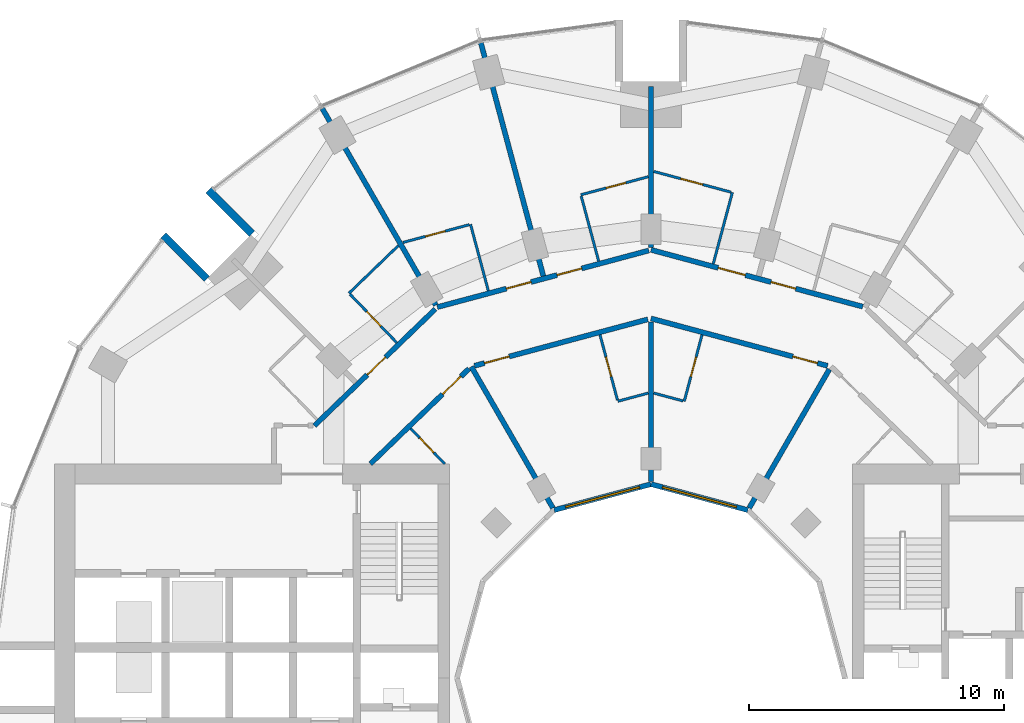
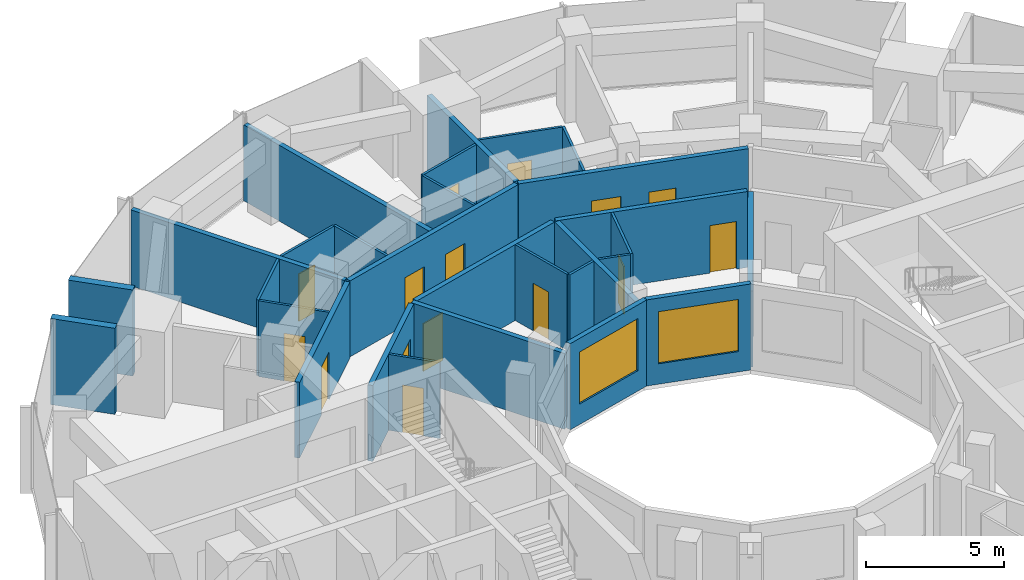
# One storey, part 12 of 15: 29 walls, 15 doors, 2 windows, 17 openings.
"""IFC4 building model written with IfcOpenShell, lengths in metres."""

from ifc_helpers import new_model, si_unit, direction, frame, frame_2d, origin, place, context, subcontext, project, spatial, rectangle, extrude, material, layer, layer_set, type_object, element, fill, save


model = new_model("IFC4")

# Units and contexts
model_context = context("Model", 3, precision=1e-05, world=origin(), true_north=direction((0.0, 1.0)))
body_context = subcontext(model_context, "Body", "Model", "MODEL_VIEW")
ifc_project = project(units=[si_unit("LENGTHUNIT", "METRE"), si_unit("AREAUNIT", "SQUARE_METRE"), si_unit("VOLUMEUNIT", "CUBIC_METRE"), si_unit("PLANEANGLEUNIT", "RADIAN"), si_unit("MASSUNIT", "GRAM", prefix="KILO")], contexts=[model_context])

# Site, building, storey
site_placement = place(None, origin())
site = spatial("IfcSite", under=ifc_project, at=site_placement, CompositionType="ELEMENT")
building_placement = place(site_placement, origin())
building = spatial("IfcBuilding", under=site, at=building_placement, Name="Torre Brocal", CompositionType="ELEMENT")
storey_placement = place(building_placement, frame((0.0, 0.0, 36.39990234375)))
storey = spatial("IfcBuildingStorey", under=building, at=storey_placement, Name="L07", CompositionType="ELEMENT", Elevation=36.39990234375)

# Walls
ifc_material_1 = material(Name="Concrete C80", Category="concrete")
ifc_layer_1 = layer(ifc_material_1, 0.300048828125)
ifc_layer_set_1 = layer_set([ifc_layer_1], Name="Concrete C80")
wall_type_1 = type_object("IfcWallType", Name="NOTCH RETURN WALL 300 C80", PredefinedType="NOTDEFINED", material=ifc_layer_set_1)
for number, where, z_axis, x_axis, name in (
    (1, (64.337646484375, 92.43017578125, 0.0), (0.0, 0.0, 1.0), (-0.707106781187, 0.707106781187, 0.0), "NOTCH RETURN WALL"),
    (2, (62.56982421875, 90.662353515625, 0.0), (0.0, 0.0, 1.0), (-0.707106781187, 0.707106781187, 0.0), "NOTCH RETURN WALL"),
):
    element("IfcWall", number, at=place(storey_placement, frame(where, z_axis=z_axis, x_axis=x_axis)), inside=storey, type_object=wall_type_1, Name=name, PredefinedType="NOTDEFINED", context=body_context, shape_type="SweptSolid", body=[
        extrude(rectangle(XDim=2.415771484375, YDim=0.300048828125, at=frame_2d((1.2080078125, 0.0))), origin(), (0.0, 0.0, 1.0), 3.800048828125),
    ])

# Wall, opening, door
ifc_material_2 = material(Name="Gypsum board", Category="Gypsum")
ifc_layer_2 = layer(ifc_material_2, 0.10009765625)
ifc_layer_set_2 = layer_set([ifc_layer_2], Name="Gypsum board")
wall_type_2 = type_object("IfcWallType", Name="PARTITION 100", PredefinedType="PARTITIONING", material=ifc_layer_set_2)
wall_1_placement = place(storey_placement, frame((68.184814453125, 90.06005859375, 0.0), z_axis=(0.0, 0.0, 1.0), x_axis=(0.69446127412, -0.719530081892, 0.0)))
wall_1 = element("IfcWall", 3, at=wall_1_placement, inside=storey, type_object=wall_type_2, Name="BATHROOM WALL", PredefinedType="PARTITIONING", context=body_context, shape_type="SweptSolid", body=[
    extrude(rectangle(XDim=2.64892578125, YDim=0.10009765625, at=frame_2d((1.324462890625, 0.0))), origin(), (0.0, 0.0, 1.0), 3.35009765625),
])
opening_1_placement = place(wall_1_placement, frame((0.94970703125, 0.0, 0.0)))
opening_1 = element("IfcOpeningElement", 4, at=opening_1_placement, cuts=wall_1, Name="Opening H01-D15", PredefinedType="OPENING", context=body_context, shape_type="SweptSolid", body=[
    extrude(rectangle(XDim=0.800048828125, YDim=2.10009765625, at=frame_2d((0.39990234375, 1.050048828125))), frame((0.0, 0.06005859375, 0.0), z_axis=(0.0, -1.0, 0.0), x_axis=(1.0, 0.0, 0.0)), (0.0, 0.0, 1.0), 0.1201171875),
])
ifc_material_3 = material(Name="Timber", Category="wood")
door_type_1 = type_object("IfcDoorType", Name="BATHROOM DOOR 800X2100", OperationType="SINGLE_SWING_LEFT", PredefinedType="DOOR", material=ifc_material_3)
door_1_placement = place(opening_1_placement, origin())
door_1 = element("IfcDoor", 5, at=door_1_placement, inside=storey, type_object=door_type_1, Name="H01-D15", OperationType="SINGLE_SWING_RIGHT", OverallHeight=2.10009765625, OverallWidth=0.800048828125, PredefinedType="DOOR", context=body_context, shape_type="SweptSolid", body=[
    extrude(rectangle(XDim=0.800048828125, YDim=2.10009765625, at=frame_2d((0.39990234375, 1.050048828125))), frame((0.0, 0.02490234375, 0.0), z_axis=(0.0, -1.0, 0.0), x_axis=(1.0, 0.0, 0.0)), (0.0, 0.0, 1.0), 0.050048828125),
])
fill(opening_1, door_1)

# Wall
wall_2_placement = place(storey_placement, frame((68.14990234375, 90.09619140625, 0.0), z_axis=(0.0, 0.0, 1.0), x_axis=(0.719669144226, 0.694317163009, 0.0)))
element("IfcWall", 6, at=wall_2_placement, inside=storey, type_object=wall_type_2, Name="BATHROOM WALL", PredefinedType="PARTITIONING", context=body_context, shape_type="SweptSolid", body=[
    extrude(rectangle(XDim=2.686767578125, YDim=0.10009765625, at=frame_2d((1.34326171875, 0.0))), origin(), (0.0, 0.0, 1.0), 3.35009765625),
])

# Wall, opening, door
wall_3_placement = place(storey_placement, frame((70.26806640625, 92.087158203125, 0.0), z_axis=(0.0, 0.0, 1.0), x_axis=(0.965931867509, 0.258796497911, 0.0)))
wall_3 = element("IfcWall", 7, at=wall_3_placement, inside=storey, type_object=wall_type_2, Name="BATHROOM WALL", PredefinedType="PARTITIONING", context=body_context, shape_type="SweptSolid", body=[
    extrude(rectangle(XDim=2.693359375, YDim=0.10009765625, at=frame_2d((1.3466796875, 0.0))), origin(), (0.0, 0.0, 1.0), 3.35009765625),
])
opening_2_placement = place(wall_3_placement, frame((0.91162109375, 0.0, 0.0)))
opening_2 = element("IfcOpeningElement", 8, at=opening_2_placement, cuts=wall_3, Name="Opening H01-D13", PredefinedType="OPENING", context=body_context, shape_type="SweptSolid", body=[
    extrude(rectangle(XDim=0.800048828125, YDim=2.10009765625, at=frame_2d((0.39990234375, 1.050048828125))), frame((0.0, 0.06005859375, 0.0), z_axis=(0.0, -1.0, 0.0), x_axis=(1.0, 0.0, 0.0)), (0.0, 0.0, 1.0), 0.1201171875),
])
door_2_placement = place(opening_2_placement, frame((0.800048828125, 0.0, 0.0), z_axis=(0.0, 0.0, 1.0), x_axis=(-1.0, 0.0, 0.0)))
door_2 = element("IfcDoor", 9, at=door_2_placement, inside=storey, type_object=door_type_1, Name="H01-D13", OperationType="SINGLE_SWING_RIGHT", OverallHeight=2.10009765625, OverallWidth=0.800048828125, PredefinedType="DOOR", context=body_context, shape_type="SweptSolid", body=[
    extrude(rectangle(XDim=0.800048828125, YDim=2.10009765625, at=frame_2d((0.39990234375, 1.050048828125))), frame((0.0, 0.02490234375, 0.0), z_axis=(0.0, -1.0, 0.0), x_axis=(1.0, 0.0, 0.0)), (0.0, 0.0, 1.0), 0.050048828125),
])
fill(opening_2, door_2)

wall_4_placement = place(storey_placement, frame((70.5673828125, 84.785888671875, 0.0), z_axis=(0.0, 0.0, 1.0), x_axis=(0.694447472534, -0.719543402368, 0.0)))
wall_4 = element("IfcWall", 10, at=wall_4_placement, inside=storey, type_object=wall_type_2, Name="BATHROOM WALL", PredefinedType="PARTITIONING", context=body_context, shape_type="SweptSolid", body=[
    extrude(rectangle(XDim=1.92626953125, YDim=0.10009765625, at=frame_2d((0.963134765625, 0.0))), origin(), (0.0, 0.0, 1.0), 3.35009765625),
])
opening_3_placement = place(wall_4_placement, frame((0.51318359375, 0.0, 0.0)))
opening_3 = element("IfcOpeningElement", 11, at=opening_3_placement, cuts=wall_4, Name="Opening H01-D25", PredefinedType="OPENING", context=body_context, shape_type="SweptSolid", body=[
    extrude(rectangle(XDim=0.800048828125, YDim=2.10009765625, at=frame_2d((0.39990234375, 1.050048828125))), frame((0.0, 0.06005859375, 0.0), z_axis=(0.0, -1.0, 0.0), x_axis=(1.0, 0.0, 0.0)), (0.0, 0.0, 1.0), 0.1201171875),
])
door_3_placement = place(opening_3_placement, frame((0.800048828125, 0.0, 0.0), z_axis=(0.0, 0.0, 1.0), x_axis=(-1.0, 0.0, 0.0)))
door_3 = element("IfcDoor", 12, at=door_3_placement, inside=storey, type_object=door_type_1, Name="H01-D25", OperationType="SINGLE_SWING_RIGHT", OverallHeight=2.10009765625, OverallWidth=0.800048828125, PredefinedType="DOOR", context=body_context, shape_type="SweptSolid", body=[
    extrude(rectangle(XDim=0.800048828125, YDim=2.10009765625, at=frame_2d((0.39990234375, 1.050048828125))), frame((0.0, 0.02490234375, 0.0), z_axis=(0.0, -1.0, 0.0), x_axis=(1.0, 0.0, 0.0)), (0.0, 0.0, 1.0), 0.050048828125),
])
fill(opening_3, door_3)

# Walls
wall_5_placement = place(storey_placement, frame((72.91796875, 92.797119140625, 0.0), z_axis=(0.0, 0.0, 1.0), x_axis=(0.25867580527, -0.965964195904, 0.0)))
element("IfcWall", 13, at=wall_5_placement, inside=storey, type_object=wall_type_2, Name="BATHROOM WALL", PredefinedType="PARTITIONING", context=body_context, shape_type="SweptSolid", body=[
    extrude(rectangle(XDim=2.69921875, YDim=0.10009765625, at=frame_2d((1.349609375, 0.0))), origin(), (0.0, 0.0, 1.0), 3.35009765625),
])
wall_6_placement = place(storey_placement, frame((77.260009765625, 93.90869140625, 0.0), z_axis=(0.0, 0.0, 1.0), x_axis=(0.258935674139, -0.965894568086, 0.0)))
element("IfcWall", 14, at=wall_6_placement, inside=storey, type_object=wall_type_2, Name="BATHROOM WALL", PredefinedType="PARTITIONING", context=body_context, shape_type="SweptSolid", body=[
    extrude(rectangle(XDim=2.6494140625, YDim=0.10009765625, at=frame_2d((1.32470703125, 0.0))), origin(), (0.0, 0.0, 1.0), 3.35009765625),
])

# Wall, opening, door
wall_7_placement = place(storey_placement, frame((77.2470703125, 93.956787109375, 0.0), z_axis=(0.0, 0.0, 1.0), x_axis=(0.965922199757, 0.258832579125, 0.0)))
wall_7 = element("IfcWall", 15, at=wall_7_placement, inside=storey, type_object=wall_type_2, Name="BATHROOM WALL", PredefinedType="PARTITIONING", context=body_context, shape_type="SweptSolid", body=[
    extrude(rectangle(XDim=2.739990234375, YDim=0.10009765625, at=frame_2d((1.3701171875, 0.0))), origin(), (0.0, 0.0, 1.0), 3.35009765625),
])
opening_4_placement = place(wall_7_placement, frame((1.025146484375, 0.0, 0.0)))
opening_4 = element("IfcOpeningElement", 16, at=opening_4_placement, cuts=wall_7, Name="Opening H01-D11", PredefinedType="OPENING", context=body_context, shape_type="SweptSolid", body=[
    extrude(rectangle(XDim=0.800048828125, YDim=2.10009765625, at=frame_2d((0.39990234375, 1.050048828125))), frame((0.0, 0.06005859375, 0.0), z_axis=(0.0, -1.0, 0.0), x_axis=(1.0, 0.0, 0.0)), (0.0, 0.0, 1.0), 0.1201171875),
])
door_4_placement = place(opening_4_placement, frame((0.800048828125, 0.0, 0.0), z_axis=(0.0, 0.0, 1.0), x_axis=(-1.0, 0.0, 0.0)))
door_4 = element("IfcDoor", 17, at=door_4_placement, inside=storey, type_object=door_type_1, Name="H01-D11", OperationType="SINGLE_SWING_LEFT", OverallHeight=2.10009765625, OverallWidth=0.800048828125, PredefinedType="DOOR", context=body_context, shape_type="SweptSolid", body=[
    extrude(rectangle(XDim=0.800048828125, YDim=2.10009765625, at=frame_2d((0.39990234375, 1.050048828125))), frame((0.0, 0.02490234375, 0.0), z_axis=(0.0, -1.0, 0.0), x_axis=(1.0, 0.0, 0.0)), (0.0, 0.0, 1.0), 0.050048828125),
])
fill(opening_4, door_4)

wall_8_placement = place(storey_placement, frame((77.997802734375, 88.46337890625, 0.0), z_axis=(0.0, 0.0, 1.0), x_axis=(0.258677737588, -0.965963678446, 0.0)))
wall_8 = element("IfcWall", 18, at=wall_8_placement, inside=storey, type_object=wall_type_2, Name="BATHROOM WALL", PredefinedType="PARTITIONING", context=body_context, shape_type="SweptSolid", body=[
    extrude(rectangle(XDim=2.649169921875, YDim=0.10009765625, at=frame_2d((1.32470703125, 0.0))), origin(), (0.0, 0.0, 1.0), 3.35009765625),
])
opening_5_placement = place(wall_8_placement, frame((0.899658203125, 0.0, 0.0)))
opening_5 = element("IfcOpeningElement", 19, at=opening_5_placement, cuts=wall_8, Name="Opening H01-D23", PredefinedType="OPENING", context=body_context, shape_type="SweptSolid", body=[
    extrude(rectangle(XDim=0.800048828125, YDim=2.10009765625, at=frame_2d((0.39990234375, 1.050048828125))), frame((0.0, 0.06005859375, 0.0), z_axis=(0.0, -1.0, 0.0), x_axis=(1.0, 0.0, 0.0)), (0.0, 0.0, 1.0), 0.1201171875),
])
door_5_placement = place(opening_5_placement, origin())
door_5 = element("IfcDoor", 20, at=door_5_placement, inside=storey, type_object=door_type_1, Name="H01-D23", OperationType="SINGLE_SWING_LEFT", OverallHeight=2.10009765625, OverallWidth=0.800048828125, PredefinedType="DOOR", context=body_context, shape_type="SweptSolid", body=[
    extrude(rectangle(XDim=0.800048828125, YDim=2.10009765625, at=frame_2d((0.39990234375, 1.050048828125))), frame((0.0, 0.02490234375, 0.0), z_axis=(0.0, -1.0, 0.0), x_axis=(1.0, 0.0, 0.0)), (0.0, 0.0, 1.0), 0.050048828125),
])
fill(opening_5, door_5)

# Walls
wall_9_placement = place(storey_placement, frame((78.696044921875, 85.85595703125, 0.0), z_axis=(0.0, 0.0, 1.0), x_axis=(0.966002513606, 0.258532674351, 0.0)))
element("IfcWall", 21, at=wall_9_placement, inside=storey, type_object=wall_type_2, Name="BATHROOM WALL", PredefinedType="PARTITIONING", context=body_context, shape_type="SweptSolid", body=[
    extrude(rectangle(XDim=1.239990234375, YDim=0.10009765625, at=frame_2d((0.6201171875, 0.0))), origin(), (0.0, 0.0, 1.0), 3.35009765625),
])
wall_10_placement = place(storey_placement, frame((80.106201171875, 86.176513671875, 0.0), z_axis=(0.0, 0.0, 1.0), x_axis=(0.966002973184, -0.258530957139, 0.0)))
element("IfcWall", 22, at=wall_10_placement, inside=storey, type_object=wall_type_2, Name="BATHROOM WALL", PredefinedType="PARTITIONING", context=body_context, shape_type="SweptSolid", body=[
    extrude(rectangle(XDim=1.18994140625, YDim=0.10009765625, at=frame_2d((0.594970703125, 0.0))), origin(), (0.0, 0.0, 1.0), 3.35009765625),
])

# Wall, opening, door
wall_11_placement = place(storey_placement, frame((80.106201171875, 94.87353515625, 0.0), z_axis=(0.0, 0.0, 1.0), x_axis=(0.965915808883, -0.258856427676, 0.0)))
wall_11 = element("IfcWall", 23, at=wall_11_placement, inside=storey, type_object=wall_type_2, Name="BATHROOM WALL", PredefinedType="PARTITIONING", context=body_context, shape_type="SweptSolid", body=[
    extrude(rectangle(XDim=3.1435546875, YDim=0.10009765625, at=frame_2d((1.57177734375, 0.0))), origin(), (0.0, 0.0, 1.0), 3.35009765625),
])
opening_6_placement = place(wall_11_placement, frame((1.091796875, 0.0, 0.0)))
opening_6 = element("IfcOpeningElement", 24, at=opening_6_placement, cuts=wall_11, Name="Opening H01-D09", PredefinedType="OPENING", context=body_context, shape_type="SweptSolid", body=[
    extrude(rectangle(XDim=0.89990234375, YDim=2.10009765625, at=frame_2d((0.449951171875, 1.050048828125))), frame((0.0, 0.06005859375, 0.0), z_axis=(0.0, -1.0, 0.0), x_axis=(1.0, 0.0, 0.0)), (0.0, 0.0, 1.0), 0.1201171875),
])
ifc_material_4 = material(Name="Timber", Category="wood")
door_type_2 = type_object("IfcDoorType", Name="ACCESSIBLE BATHROOM DOOR 900X2100", OperationType="SINGLE_SWING_LEFT", PredefinedType="DOOR", material=ifc_material_4)
door_6_placement = place(opening_6_placement, frame((0.89990234375, 0.0, 0.0), z_axis=(0.0, 0.0, 1.0), x_axis=(-1.0, 0.0, 0.0)))
door_6 = element("IfcDoor", 25, at=door_6_placement, inside=storey, type_object=door_type_2, Name="H01-D09", OperationType="SINGLE_SWING_RIGHT", OverallHeight=2.10009765625, OverallWidth=0.89990234375, PredefinedType="DOOR", context=body_context, shape_type="SweptSolid", body=[
    extrude(rectangle(XDim=0.89990234375, YDim=2.10009765625, at=frame_2d((0.449951171875, 1.050048828125))), frame((0.0, 0.02490234375, 0.0), z_axis=(0.0, -1.0, 0.0), x_axis=(1.0, 0.0, 0.0)), (0.0, 0.0, 1.0), 0.050048828125),
])
fill(opening_6, door_6)

wall_12_placement = place(storey_placement, frame((81.303955078125, 85.85595703125, 0.0), z_axis=(0.0, 0.0, 1.0), x_axis=(0.25867580527, 0.965964195904, 0.0)))
wall_12 = element("IfcWall", 26, at=wall_12_placement, inside=storey, type_object=wall_type_2, Name="BATHROOM WALL", PredefinedType="PARTITIONING", context=body_context, shape_type="SweptSolid", body=[
    extrude(rectangle(XDim=2.69921875, YDim=0.10009765625, at=frame_2d((1.349609375, 0.0))), origin(), (0.0, 0.0, 1.0), 3.35009765625),
])
opening_7_placement = place(wall_12_placement, frame((0.99951171875, 0.0, 0.0)))
opening_7 = element("IfcOpeningElement", 27, at=opening_7_placement, cuts=wall_12, Name="Opening H01-D21", PredefinedType="OPENING", context=body_context, shape_type="SweptSolid", body=[
    extrude(rectangle(XDim=0.800048828125, YDim=2.10009765625, at=frame_2d((0.39990234375, 1.050048828125))), frame((0.0, 0.06005859375, 0.0), z_axis=(0.0, -1.0, 0.0), x_axis=(1.0, 0.0, 0.0)), (0.0, 0.0, 1.0), 0.1201171875),
])
door_7_placement = place(opening_7_placement, origin())
door_7 = element("IfcDoor", 28, at=door_7_placement, inside=storey, type_object=door_type_1, Name="H01-D21", OperationType="SINGLE_SWING_RIGHT", OverallHeight=2.10009765625, OverallWidth=0.800048828125, PredefinedType="DOOR", context=body_context, shape_type="SweptSolid", body=[
    extrude(rectangle(XDim=0.800048828125, YDim=2.10009765625, at=frame_2d((0.39990234375, 1.050048828125))), frame((0.0, 0.02490234375, 0.0), z_axis=(0.0, -1.0, 0.0), x_axis=(1.0, 0.0, 0.0)), (0.0, 0.0, 1.0), 0.050048828125),
])
fill(opening_7, door_7)

# Wall
wall_13_placement = place(storey_placement, frame((82.44091796875, 91.24560546875, 0.0), z_axis=(0.0, 0.0, 1.0), x_axis=(0.258605640326, 0.965982982662, 0.0)))
element("IfcWall", 29, at=wall_13_placement, inside=storey, type_object=wall_type_2, Name="BATHROOM WALL", PredefinedType="PARTITIONING", context=body_context, shape_type="SweptSolid", body=[
    extrude(rectangle(XDim=2.900146484375, YDim=0.10009765625, at=frame_2d((1.4501953125, 0.0))), origin(), (0.0, 0.0, 1.0), 3.35009765625),
])

# Wall, opening, door
ifc_material_5 = material(Name="Gypsum board", Category="Gypsum")
ifc_layer_3 = layer(ifc_material_5, 0.199951171875)
ifc_layer_set_3 = layer_set([ifc_layer_3], Name="Gypsum board")
wall_type_3 = type_object("IfcWallType", Name="PARTITION 200 EI60", PredefinedType="PARTITIONING", material=ifc_layer_set_3)
wall_14_placement = place(storey_placement, frame((66.7958984375, 84.89990234375, 0.0), z_axis=(0.0, 0.0, 1.0), x_axis=(0.719690131178, 0.694295409092, 0.0)))
wall_14 = element("IfcWall", 30, at=wall_14_placement, inside=storey, type_object=wall_type_3, Name="GUESTROOM CORRIDOR WALL", PredefinedType="PARTITIONING", context=body_context, shape_type="SweptSolid", body=[
    extrude(rectangle(XDim=6.58544921875, YDim=0.199951171875, at=frame_2d((3.292724609375, 0.0))), origin(), (0.0, 0.0, 1.0), 3.35009765625),
])
opening_8_placement = place(wall_14_placement, frame((2.866943359375, 0.0, 0.0)))
opening_8 = element("IfcOpeningElement", 31, at=opening_8_placement, cuts=wall_14, Name="Opening H01-D14", PredefinedType="OPENING", context=body_context, shape_type="SweptSolid", body=[
    extrude(rectangle(XDim=1.0, YDim=2.10009765625, at=frame_2d((0.5, 1.050048828125))), frame((0.0, 0.10986328125, 0.0), z_axis=(0.0, -1.0, 0.0), x_axis=(1.0, 0.0, 0.0)), (0.0, 0.0, 1.0), 0.219970703125),
])
ifc_material_6 = material(Name="Timber", Category="wood")
door_type_3 = type_object("IfcDoorType", Name="FLAT ENTRY DOOR FD30S 1000X2100", OperationType="SINGLE_SWING_RIGHT", PredefinedType="DOOR", material=ifc_material_6)
door_8_placement = place(opening_8_placement, origin())
door_8 = element("IfcDoor", 32, at=door_8_placement, inside=storey, type_object=door_type_3, Name="H01-D14", OperationType="SINGLE_SWING_LEFT", OverallHeight=2.10009765625, OverallWidth=1.0, PredefinedType="DOOR", context=body_context, shape_type="SweptSolid", body=[
    extrude(rectangle(XDim=1.0, YDim=2.10009765625, at=frame_2d((0.5, 1.050048828125))), frame((0.0, 0.02490234375, 0.0), z_axis=(0.0, -1.0, 0.0), x_axis=(1.0, 0.0, 0.0)), (0.0, 0.0, 1.0), 0.050048828125),
])
fill(opening_8, door_8)

# Wall
wall_15_placement = place(storey_placement, frame((67.10205078125, 97.341796875, 0.0), z_axis=(0.0, 0.0, 1.0), x_axis=(0.499944680089, -0.866057340394, 0.0)))
element("IfcWall", 33, at=wall_15_placement, inside=storey, type_object=wall_type_3, Name="BATHROOM WALL", PredefinedType="PARTITIONING", context=body_context, shape_type="SweptSolid", body=[
    extrude(rectangle(XDim=8.90771484375, YDim=0.199951171875, at=frame_2d((4.453857421875, 0.0))), origin(), (0.0, 0.0, 1.0), 3.35009765625),
])

# Wall, opening, door
wall_16_placement = place(storey_placement, frame((68.987060546875, 83.39990234375, 0.0), z_axis=(0.0, 0.0, 1.0), x_axis=(0.719591503389, 0.694397629784, 0.0)))
wall_16 = element("IfcWall", 34, at=wall_16_placement, inside=storey, type_object=wall_type_3, Name="GUESTROOM CORRIDOR WALL", PredefinedType="PARTITIONING", context=body_context, shape_type="SweptSolid", body=[
    extrude(rectangle(XDim=5.378173828125, YDim=0.199951171875, at=frame_2d((2.68896484375, 0.0))), origin(), (0.0, 0.0, 1.0), 3.35009765625),
])
opening_9_placement = place(wall_16_placement, frame((3.93798828125, 0.0, 0.0)))
opening_9 = element("IfcOpeningElement", 35, at=opening_9_placement, cuts=wall_16, Name="Opening H01-D24", PredefinedType="OPENING", context=body_context, shape_type="SweptSolid", body=[
    extrude(rectangle(XDim=1.0, YDim=2.10009765625, at=frame_2d((0.5, 1.050048828125))), frame((0.0, 0.10986328125, 0.0), z_axis=(0.0, -1.0, 0.0), x_axis=(1.0, 0.0, 0.0)), (0.0, 0.0, 1.0), 0.219970703125),
])
door_9_placement = place(opening_9_placement, frame((1.0, 0.0, 0.0), z_axis=(0.0, 0.0, 1.0), x_axis=(-1.0, 0.0, 0.0)))
door_9 = element("IfcDoor", 36, at=door_9_placement, inside=storey, type_object=door_type_3, Name="H01-D24", OperationType="SINGLE_SWING_LEFT", OverallHeight=2.10009765625, OverallWidth=1.0, PredefinedType="DOOR", context=body_context, shape_type="SweptSolid", body=[
    extrude(rectangle(XDim=1.0, YDim=2.10009765625, at=frame_2d((0.5, 1.050048828125))), frame((0.0, 0.02490234375, 0.0), z_axis=(0.0, -1.0, 0.0), x_axis=(1.0, 0.0, 0.0)), (0.0, 0.0, 1.0), 0.050048828125),
])
fill(opening_9, door_9)

# Wall, openings, doors
wall_17_placement = place(storey_placement, frame((71.61376953125, 89.5498046875, 0.0), z_axis=(0.0, 0.0, 1.0), x_axis=(0.965982156828, 0.258608725086, 0.0)))
wall_17 = element("IfcWall", 37, at=wall_17_placement, inside=storey, type_object=wall_type_3, Name="GUESTROOM CORRIDOR WALL", PredefinedType="PARTITIONING", context=body_context, shape_type="SweptSolid", body=[
    extrude(rectangle(XDim=8.591796875, YDim=0.199951171875, at=frame_2d((4.2958984375, 0.0))), origin(), (0.0, 0.0, 1.0), 3.35009765625),
])
opening_10_placement = place(wall_17_placement, frame((4.864990234375, 0.0, 0.0)))
opening_10 = element("IfcOpeningElement", 38, at=opening_10_placement, cuts=wall_17, Name="Opening H01-D10", PredefinedType="OPENING", context=body_context, shape_type="SweptSolid", body=[
    extrude(rectangle(XDim=1.0, YDim=2.10009765625, at=frame_2d((0.5, 1.050048828125))), frame((0.0, 0.10986328125, 0.0), z_axis=(0.0, -1.0, 0.0), x_axis=(1.0, 0.0, 0.0)), (0.0, 0.0, 1.0), 0.219970703125),
])
opening_11_placement = place(wall_17_placement, frame((2.804443359375, 0.0, 0.0)))
opening_11 = element("IfcOpeningElement", 39, at=opening_11_placement, cuts=wall_17, Name="Opening H01-D12", PredefinedType="OPENING", context=body_context, shape_type="SweptSolid", body=[
    extrude(rectangle(XDim=1.0, YDim=2.10009765625, at=frame_2d((0.5, 1.050048828125))), frame((0.0, 0.10986328125, 0.0), z_axis=(0.0, -1.0, 0.0), x_axis=(1.0, 0.0, 0.0)), (0.0, 0.0, 1.0), 0.219970703125),
])
door_10_placement = place(opening_10_placement, origin())
door_10 = element("IfcDoor", 40, at=door_10_placement, inside=storey, type_object=door_type_3, Name="H01-D10", OperationType="SINGLE_SWING_LEFT", OverallHeight=2.10009765625, OverallWidth=1.0, PredefinedType="DOOR", context=body_context, shape_type="SweptSolid", body=[
    extrude(rectangle(XDim=1.0, YDim=2.10009765625, at=frame_2d((0.5, 1.050048828125))), frame((0.0, 0.02490234375, 0.0), z_axis=(0.0, -1.0, 0.0), x_axis=(1.0, 0.0, 0.0)), (0.0, 0.0, 1.0), 0.050048828125),
])
fill(opening_10, door_10)
door_11_placement = place(opening_11_placement, origin())
door_11 = element("IfcDoor", 41, at=door_11_placement, inside=storey, type_object=door_type_3, Name="H01-D12", OperationType="SINGLE_SWING_RIGHT", OverallHeight=2.10009765625, OverallWidth=1.0, PredefinedType="DOOR", context=body_context, shape_type="SweptSolid", body=[
    extrude(rectangle(XDim=1.0, YDim=2.10009765625, at=frame_2d((0.5, 1.050048828125))), frame((0.0, 0.02490234375, 0.0), z_axis=(0.0, -1.0, 0.0), x_axis=(1.0, 0.0, 0.0)), (0.0, 0.0, 1.0), 0.050048828125),
])
fill(opening_11, door_11)

# Wall, opening, door
wall_18_placement = place(storey_placement, frame((73.0712890625, 87.2470703125, 0.0), z_axis=(0.0, 0.0, 1.0), x_axis=(0.965931651205, 0.258797305243, 0.0)))
wall_18 = element("IfcWall", 42, at=wall_18_placement, inside=storey, type_object=wall_type_3, Name="GUESTROOM CORRIDOR WALL", PredefinedType="PARTITIONING", context=body_context, shape_type="SweptSolid", body=[
    extrude(rectangle(XDim=7.043212890625, YDim=0.199951171875, at=frame_2d((3.521484375, 0.0))), origin(), (0.0, 0.0, 1.0), 3.35009765625),
])
opening_12_placement = place(wall_18_placement, frame((0.409912109375, 0.0, 0.0)))
opening_12 = element("IfcOpeningElement", 43, at=opening_12_placement, cuts=wall_18, Name="Opening H01-D22", PredefinedType="OPENING", context=body_context, shape_type="SweptSolid", body=[
    extrude(rectangle(XDim=1.0, YDim=2.10009765625, at=frame_2d((0.5, 1.050048828125))), frame((0.0, 0.10986328125, 0.0), z_axis=(0.0, -1.0, 0.0), x_axis=(1.0, 0.0, 0.0)), (0.0, 0.0, 1.0), 0.219970703125),
])
door_12_placement = place(opening_12_placement, frame((1.0, 0.0, 0.0), z_axis=(0.0, 0.0, 1.0), x_axis=(-1.0, 0.0, 0.0)))
door_12 = element("IfcDoor", 44, at=door_12_placement, inside=storey, type_object=door_type_3, Name="H01-D22", OperationType="SINGLE_SWING_RIGHT", OverallHeight=2.10009765625, OverallWidth=1.0, PredefinedType="DOOR", context=body_context, shape_type="SweptSolid", body=[
    extrude(rectangle(XDim=1.0, YDim=2.10009765625, at=frame_2d((0.5, 1.050048828125))), frame((0.0, 0.02490234375, 0.0), z_axis=(0.0, -1.0, 0.0), x_axis=(1.0, 0.0, 0.0)), (0.0, 0.0, 1.0), 0.050048828125),
])
fill(opening_12, door_12)

# Walls
wall_19_placement = place(storey_placement, frame((72.948486328125, 87.214111328125, 0.0), z_axis=(0.0, 0.0, 1.0), x_axis=(0.499943524694, -0.866058007363, 0.0)))
element("IfcWall", 45, at=wall_19_placement, inside=storey, type_object=wall_type_3, Name="PARTY PARTITION", PredefinedType="PARTITIONING", context=body_context, shape_type="SweptSolid", body=[
    extrude(rectangle(XDim=6.405029296875, YDim=0.199951171875, at=frame_2d((3.20263671875, 0.0))), origin(), (0.0, 0.0, 1.0), 3.35009765625),
])
wall_20_placement = place(storey_placement, frame((73.322998046875, 99.919189453125, 0.0), z_axis=(0.0, 0.0, 1.0), x_axis=(0.258817230439, -0.965926312525, 0.0)))
element("IfcWall", 46, at=wall_20_placement, inside=storey, type_object=wall_type_3, Name="PARTY PARTITION", PredefinedType="PARTITIONING", context=body_context, shape_type="SweptSolid", body=[
    extrude(rectangle(XDim=9.474365234375, YDim=0.199951171875, at=frame_2d((4.7373046875, 0.0))), origin(), (0.0, 0.0, 1.0), 3.35009765625),
])
wall_21_placement = place(storey_placement, frame((80.0, 82.698974609375, 0.0), z_axis=(0.0, 0.0, 1.0), x_axis=(0.0, 1.0, 0.0)))
element("IfcWall", 47, at=wall_21_placement, inside=storey, type_object=wall_type_3, Name="BATHROOM WALL", PredefinedType="PARTITIONING", context=body_context, shape_type="SweptSolid", body=[
    extrude(rectangle(XDim=6.275146484375, YDim=0.199951171875, at=frame_2d((3.1376953125, 0.0))), origin(), (0.0, 0.0, 1.0), 3.35009765625),
])

# Wall, opening, door
wall_22_placement = place(storey_placement, frame((80.0, 89.10400390625, 0.0), z_axis=(0.0, 0.0, 1.0), x_axis=(0.965856548257, -0.259077455964, 0.0)))
wall_22 = element("IfcWall", 48, at=wall_22_placement, inside=storey, type_object=wall_type_3, Name="GUESTROOM CORRIDOR WALL", PredefinedType="PARTITIONING", context=body_context, shape_type="SweptSolid", body=[
    extrude(rectangle(XDim=7.173095703125, YDim=0.199951171875, at=frame_2d((3.58642578125, 0.0))), origin(), (0.0, 0.0, 1.0), 3.35009765625),
])
opening_13_placement = place(wall_22_placement, frame((5.76318359375, 0.0, 0.0)))
opening_13 = element("IfcOpeningElement", 49, at=opening_13_placement, cuts=wall_22, Name="Opening H01-D20", PredefinedType="OPENING", context=body_context, shape_type="SweptSolid", body=[
    extrude(rectangle(XDim=1.0, YDim=2.10009765625, at=frame_2d((0.5, 1.050048828125))), frame((0.0, 0.10986328125, 0.0), z_axis=(0.0, -1.0, 0.0), x_axis=(1.0, 0.0, 0.0)), (0.0, 0.0, 1.0), 0.219970703125),
])
door_13_placement = place(opening_13_placement, frame((1.0, 0.0, 0.0), z_axis=(0.0, 0.0, 1.0), x_axis=(-1.0, 0.0, 0.0)))
door_13 = element("IfcDoor", 50, at=door_13_placement, inside=storey, type_object=door_type_3, Name="H01-D20", OperationType="SINGLE_SWING_LEFT", OverallHeight=2.10009765625, OverallWidth=1.0, PredefinedType="DOOR", context=body_context, shape_type="SweptSolid", body=[
    extrude(rectangle(XDim=1.0, YDim=2.10009765625, at=frame_2d((0.5, 1.050048828125))), frame((0.0, 0.02490234375, 0.0), z_axis=(0.0, -1.0, 0.0), x_axis=(1.0, 0.0, 0.0)), (0.0, 0.0, 1.0), 0.050048828125),
])
fill(opening_13, door_13)

# Wall
wall_23_placement = place(storey_placement, frame((80.0, 91.89599609375, 0.0), z_axis=(0.0, 0.0, 1.0), x_axis=(0.0, 1.0, 0.0)))
element("IfcWall", 51, at=wall_23_placement, inside=storey, type_object=wall_type_3, Name="BATHROOM WALL", PredefinedType="PARTITIONING", context=body_context, shape_type="SweptSolid", body=[
    extrude(rectangle(XDim=6.303955078125, YDim=0.199951171875, at=frame_2d((3.15185546875, 0.0))), origin(), (0.0, 0.0, 1.0), 3.35009765625),
])

# Wall, openings, doors
wall_24_placement = place(storey_placement, frame((80.000244140625, 91.796875, 0.0), z_axis=(0.0, 0.0, 1.0), x_axis=(0.965857042792, -0.259075612301, 0.0)))
wall_24 = element("IfcWall", 52, at=wall_24_placement, inside=storey, type_object=wall_type_3, Name="GUESTROOM CORRIDOR WALL", PredefinedType="PARTITIONING", context=body_context, shape_type="SweptSolid", body=[
    extrude(rectangle(XDim=8.601806640625, YDim=0.199951171875, at=frame_2d((4.30078125, 0.0))), origin(), (0.0, 0.0, 1.0), 3.35009765625),
])
opening_14_placement = place(wall_24_placement, frame((4.87744140625, 0.0, 0.0)))
opening_14 = element("IfcOpeningElement", 53, at=opening_14_placement, cuts=wall_24, Name="Opening H01-D06", PredefinedType="OPENING", context=body_context, shape_type="SweptSolid", body=[
    extrude(rectangle(XDim=1.0, YDim=2.10009765625, at=frame_2d((0.5, 1.050048828125))), frame((0.0, 0.10986328125, 0.0), z_axis=(0.0, -1.0, 0.0), x_axis=(1.0, 0.0, 0.0)), (0.0, 0.0, 1.0), 0.219970703125),
])
opening_15_placement = place(wall_24_placement, frame((2.73046875, 0.0, 0.0)))
opening_15 = element("IfcOpeningElement", 54, at=opening_15_placement, cuts=wall_24, Name="Opening H01-D08", PredefinedType="OPENING", context=body_context, shape_type="SweptSolid", body=[
    extrude(rectangle(XDim=1.10009765625, YDim=2.10009765625, at=frame_2d((0.550048828125, 1.050048828125))), frame((0.0, 0.10986328125, 0.0), z_axis=(0.0, -1.0, 0.0), x_axis=(1.0, 0.0, 0.0)), (0.0, 0.0, 1.0), 0.219970703125),
])
ifc_material_7 = material(Name="Timber", Category="wood")
door_type_4 = type_object("IfcDoorType", Name="ACCESSIBLE ENTRY DOOR FD30S 1100X2100", OperationType="SINGLE_SWING_RIGHT", PredefinedType="DOOR", material=ifc_material_7)
door_14_placement = place(opening_15_placement, origin())
door_14 = element("IfcDoor", 55, at=door_14_placement, inside=storey, type_object=door_type_4, Name="H01-D08", OperationType="SINGLE_SWING_LEFT", OverallHeight=2.10009765625, OverallWidth=1.10009765625, PredefinedType="DOOR", context=body_context, shape_type="SweptSolid", body=[
    extrude(rectangle(XDim=1.10009765625, YDim=2.10009765625, at=frame_2d((0.550048828125, 1.050048828125))), frame((0.0, 0.02490234375, 0.0), z_axis=(0.0, -1.0, 0.0), x_axis=(1.0, 0.0, 0.0)), (0.0, 0.0, 1.0), 0.050048828125),
])
fill(opening_15, door_14)
door_15_placement = place(opening_14_placement, origin())
door_15 = element("IfcDoor", 56, at=door_15_placement, inside=storey, type_object=door_type_3, Name="H01-D06", OperationType="SINGLE_SWING_LEFT", OverallHeight=2.10009765625, OverallWidth=1.0, PredefinedType="DOOR", context=body_context, shape_type="SweptSolid", body=[
    extrude(rectangle(XDim=1.0, YDim=2.10009765625, at=frame_2d((0.5, 1.050048828125))), frame((0.0, 0.02490234375, 0.0), z_axis=(0.0, -1.0, 0.0), x_axis=(1.0, 0.0, 0.0)), (0.0, 0.0, 1.0), 0.050048828125),
])
fill(opening_14, door_15)

# Wall
wall_25_placement = place(storey_placement, frame((83.851806640625, 81.665283203125, 0.0), z_axis=(0.0, 0.0, 1.0), x_axis=(0.500253653624, 0.865878907259, 0.0)))
element("IfcWall", 57, at=wall_25_placement, inside=storey, type_object=wall_type_3, Name="PARTY PARTITION", PredefinedType="PARTITIONING", context=body_context, shape_type="SweptSolid", body=[
    extrude(rectangle(XDim=6.285400390625, YDim=0.199951171875, at=frame_2d((3.142578125, 0.0))), origin(), (0.0, 0.0, 1.0), 3.35009765625),
])

# Wall, opening, window
ifc_material_8 = material(Name="Concrete C40", Category="concrete")
ifc_layer_4 = layer(ifc_material_8, 0.199951171875)
ifc_layer_set_4 = layer_set([ifc_layer_4], Name="Concrete C40")
wall_type_4 = type_object("IfcWallType", Name="WELL FACADE WALL 200", PredefinedType="NOTDEFINED", material=ifc_layer_set_4)
wall_26_placement = place(storey_placement, frame((83.8017578125, 81.5849609375, 0.0), z_axis=(0.0, 0.0, 1.0), x_axis=(-0.965933654434, 0.258789828301, 0.0)))
wall_26 = element("IfcWall", 58, at=wall_26_placement, inside=storey, type_object=wall_type_4, Name="WELL FACADE WALL", PredefinedType="NOTDEFINED", context=body_context, shape_type="SweptSolid", body=[
    extrude(rectangle(XDim=3.935791015625, YDim=0.199951171875, at=frame_2d((1.9677734375, 0.0))), origin(), (0.0, 0.0, 1.0), 3.800048828125),
])
opening_16_placement = place(wall_26_placement, frame((0.468017578125, 0.0, 0.89990234375)))
opening_16 = element("IfcOpeningElement", 59, at=opening_16_placement, cuts=wall_26, Name="Opening W1", PredefinedType="OPENING", context=body_context, shape_type="SweptSolid", body=[
    extrude(rectangle(XDim=3.0, YDim=2.300048828125, at=frame_2d((1.5, 1.14990234375))), frame((0.0, 0.10986328125, 0.0), z_axis=(0.0, -1.0, 0.0), x_axis=(1.0, 0.0, 0.0)), (0.0, 0.0, 1.0), 0.219970703125),
])
ifc_material_9 = material(Name="Aluminium and glass", Category="aluminium")
window_type = type_object("IfcWindowType", Name="WELL WINDOW 3000X2300", PartitioningType="SINGLE_PANEL", PredefinedType="WINDOW", material=ifc_material_9)
window_1_placement = place(opening_16_placement, origin())
window_1 = element("IfcWindow", 60, at=window_1_placement, inside=storey, type_object=window_type, Name="WELL WINDOW 3000X2300", OverallHeight=2.300048828125, OverallWidth=3.0, PartitioningType="SINGLE_PANEL", PredefinedType="WINDOW", context=body_context, shape_type="SweptSolid", body=[
    extrude(rectangle(XDim=3.0, YDim=2.300048828125, at=frame_2d((1.5, 1.14990234375))), frame((0.0, 0.030029296875, 0.0), z_axis=(0.0, -1.0, 0.0), x_axis=(1.0, 0.0, 0.0)), (0.0, 0.0, 1.0), 0.06005859375),
])
fill(opening_16, window_1)

wall_27_placement = place(storey_placement, frame((80.0, 82.603515625, 0.0), z_axis=(0.0, 0.0, 1.0), x_axis=(-0.965933654434, -0.258789828301, 0.0)))
wall_27 = element("IfcWall", 61, at=wall_27_placement, inside=storey, type_object=wall_type_4, Name="WELL FACADE WALL", PredefinedType="NOTDEFINED", context=body_context, shape_type="SweptSolid", body=[
    extrude(rectangle(XDim=3.935791015625, YDim=0.199951171875, at=frame_2d((1.9677734375, 0.0))), origin(), (0.0, 0.0, 1.0), 3.800048828125),
])
opening_17_placement = place(wall_27_placement, frame((0.468017578125, 0.0, 0.89990234375)))
opening_17 = element("IfcOpeningElement", 62, at=opening_17_placement, cuts=wall_27, Name="Opening W1", PredefinedType="OPENING", context=body_context, shape_type="SweptSolid", body=[
    extrude(rectangle(XDim=3.0, YDim=2.300048828125, at=frame_2d((1.5, 1.14990234375))), frame((0.0, 0.10986328125, 0.0), z_axis=(0.0, -1.0, 0.0), x_axis=(1.0, 0.0, 0.0)), (0.0, 0.0, 1.0), 0.219970703125),
])
window_2_placement = place(opening_17_placement, origin())
window_2 = element("IfcWindow", 63, at=window_2_placement, inside=storey, type_object=window_type, Name="WELL WINDOW 3000X2300", OverallHeight=2.300048828125, OverallWidth=3.0, PartitioningType="SINGLE_PANEL", PredefinedType="WINDOW", context=body_context, shape_type="SweptSolid", body=[
    extrude(rectangle(XDim=3.0, YDim=2.300048828125, at=frame_2d((1.5, 1.14990234375))), frame((0.0, 0.030029296875, 0.0), z_axis=(0.0, -1.0, 0.0), x_axis=(1.0, 0.0, 0.0)), (0.0, 0.0, 1.0), 0.06005859375),
])
fill(opening_17, window_2)

save(model, "model.ifc")
